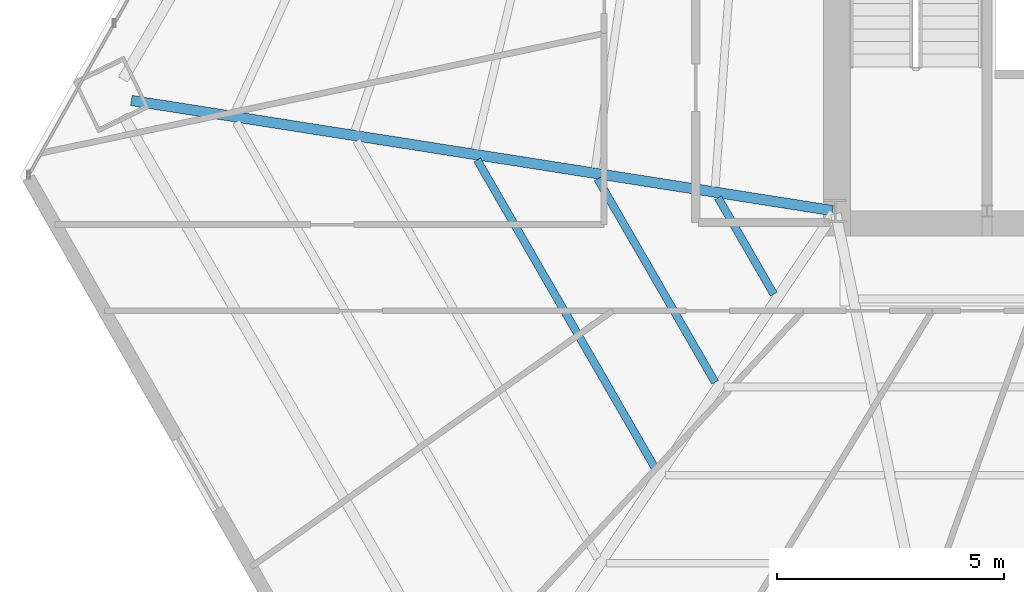
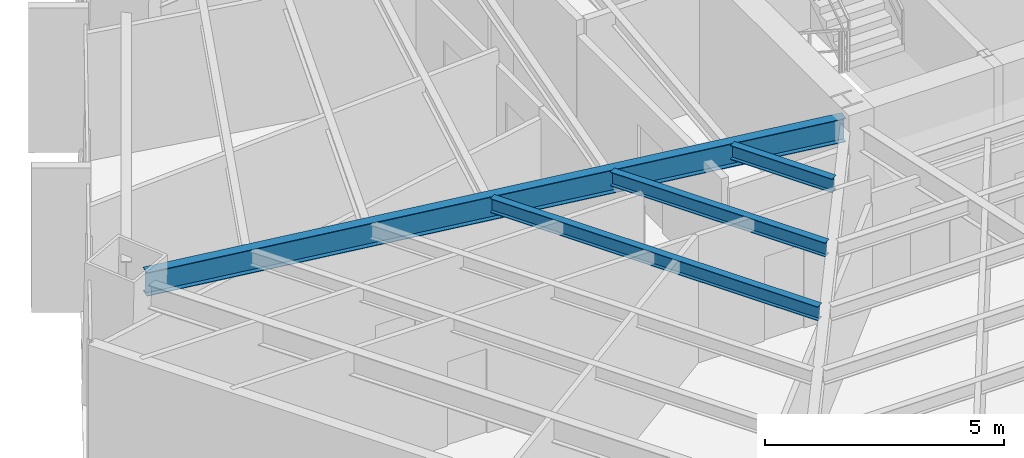
# One storey, part 7 of 39: 4 beams.
"""IFC4 building model written with IfcOpenShell, lengths in metres."""

from ifc_helpers import new_model, si_unit, direction, frame, origin, origin_2d, place, context, subcontext, project, spatial, i_section, extrude, source, transform, mapped, material, material_profile, profile_set, type_object, type_shapes, element, save


model = new_model("IFC4")

# Units and contexts
model_context = context("Model", 3, precision=1e-05, world=origin(), true_north=direction((0.0, 1.0)))
body_context = subcontext(model_context, "Body", "Model", "MODEL_VIEW")
ifc_project = project(units=[si_unit("LENGTHUNIT", "METRE"), si_unit("AREAUNIT", "SQUARE_METRE"), si_unit("VOLUMEUNIT", "CUBIC_METRE"), si_unit("PLANEANGLEUNIT", "RADIAN"), si_unit("MASSUNIT", "GRAM", prefix="KILO")], contexts=[model_context])

# Site, building, storey
site_placement = place(None, origin())
site = spatial("IfcSite", under=ifc_project, at=site_placement, CompositionType="ELEMENT")
building_placement = place(site_placement, origin())
building = spatial("IfcBuilding", under=site, at=building_placement, Name="Caelisora Broadcast Tower", CompositionType="ELEMENT")
storey_placement = place(building_placement, frame((0.0, 0.0, 71.39990234375)))
storey = spatial("IfcBuildingStorey", under=building, at=storey_placement, Name="L18", CompositionType="ELEMENT", Elevation=71.39990234375)

# Beams
ifc_material = material(Name="Steel Grade 350 (AS/NZS 3679.1)", Category="steel")
ifc_material_profile_1 = material_profile(ifc_material, i_section(OverallWidth=0.22802734375, OverallDepth=0.602294921875, WebThickness=0.010498046875, FlangeThickness=0.014892578125, at=origin_2d()), Name="Steel Grade 350 (AS/NZS 3679.1)")
ifc_profile_set_1 = profile_set([ifc_material_profile_1], Name="Steel Grade 350 (AS/NZS 3679.1)")
beam_type_1 = type_object("IfcBeamType", Name="PG04", PredefinedType="BEAM", material=ifc_profile_set_1)
shared_shape_1 = source(origin(), body_context, "Body", "SweptSolid", [
    extrude(i_section(OverallWidth=0.22802734375, OverallDepth=0.602294921875, WebThickness=0.010498046875, FlangeThickness=0.014892578125, at=origin_2d()), origin(), (0.0, 0.0, 1.0), 15.6650390625),
])
type_shapes(beam_type_1, [shared_shape_1])
beam_1_placement = place(storey_placement, frame((30.440673828125, 17.4091796875, 2.948974609375), z_axis=(-0.987893406579, 0.155134191066, 0.0), x_axis=(-0.155134191066, -0.987893406579, 0.0)))
element("IfcBeam", 1, at=beam_1_placement, inside=storey, type_object=beam_type_1, Name="L18 beam PG04", PredefinedType="BEAM", context=body_context, shape_type="MappedRepresentation", body=[
    mapped(shared_shape_1, transform((0.0, 0.0, 0.0), scale=1.0)),
])
ifc_material_profile_2 = material_profile(ifc_material, i_section(OverallWidth=0.172119140625, OverallDepth=0.358642578125, WebThickness=0.008056640625, FlangeThickness=0.012939453125, at=origin_2d()), Name="Steel Grade 350 (AS/NZS 3679.1)")
ifc_profile_set_2 = profile_set([ifc_material_profile_2], Name="Steel Grade 350 (AS/NZS 3679.1)")
beam_type_2 = type_object("IfcBeamType", Name="SB02", PredefinedType="JOIST", material=ifc_profile_set_2)
shared_shape_2 = source(origin(), body_context, "Body", "SweptSolid", [
    extrude(i_section(OverallWidth=0.172119140625, OverallDepth=0.358642578125, WebThickness=0.008056640625, FlangeThickness=0.012939453125, at=origin_2d()), origin(), (0.0, 0.0, 1.0), 2.458251953125),
])
beam_2_placement = place(storey_placement, frame((27.91357421875, 17.693115234375, 3.07080078125), z_axis=(0.499963176624, -0.866046662726, 0.0), x_axis=(0.866046662726, 0.499963176624, 0.0)))
element("IfcBeam", 2, at=beam_2_placement, inside=storey, type_object=beam_type_2, Name="L18 beam SB02", PredefinedType="JOIST", context=body_context, shape_type="MappedRepresentation", body=[
    mapped(shared_shape_2, transform((0.0, 0.0, 0.0), scale=1.0)),
])
shared_shape_3 = source(origin(), body_context, "Body", "SweptSolid", [
    extrude(i_section(OverallWidth=0.172119140625, OverallDepth=0.358642578125, WebThickness=0.008056640625, FlangeThickness=0.012939453125, at=origin_2d()), origin(), (0.0, 0.0, 1.0), 5.184326171875),
])
beam_3_placement = place(storey_placement, frame((25.25537109375, 18.110595703125, 3.07080078125), z_axis=(0.499983348498, -0.86603501732, 0.0), x_axis=(0.86603501732, 0.499983348498, 0.0)))
element("IfcBeam", 3, at=beam_3_placement, inside=storey, type_object=beam_type_2, Name="L18 beam SB02", PredefinedType="JOIST", context=body_context, shape_type="MappedRepresentation", body=[
    mapped(shared_shape_3, transform((0.0, 0.0, 0.0), scale=1.0)),
])
shared_shape_4 = source(origin(), body_context, "Body", "SweptSolid", [
    extrude(i_section(OverallWidth=0.172119140625, OverallDepth=0.358642578125, WebThickness=0.008056640625, FlangeThickness=0.012939453125, at=origin_2d()), origin(), (0.0, 0.0, 1.0), 7.910400390625),
])
type_shapes(beam_type_2, [shared_shape_2, shared_shape_3, shared_shape_4])
beam_4_placement = place(storey_placement, frame((22.596923828125, 18.528076171875, 3.07080078125), z_axis=(0.50001276445, -0.8660180341, 0.0), x_axis=(0.8660180341, 0.50001276445, 0.0)))
element("IfcBeam", 4, at=beam_4_placement, inside=storey, type_object=beam_type_2, Name="L18 beam SB02", PredefinedType="JOIST", context=body_context, shape_type="MappedRepresentation", body=[
    mapped(shared_shape_4, transform((0.0, 0.0, 0.0), scale=1.0)),
])

save(model, "model.ifc")
